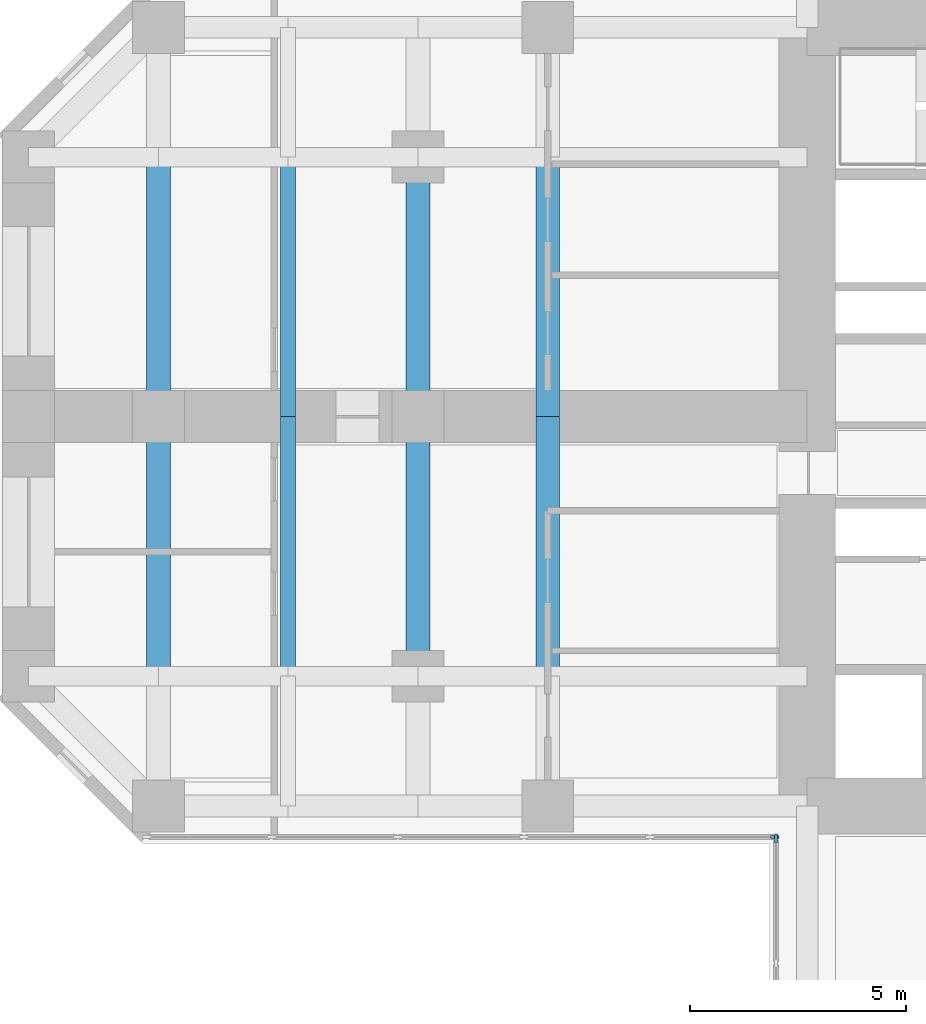
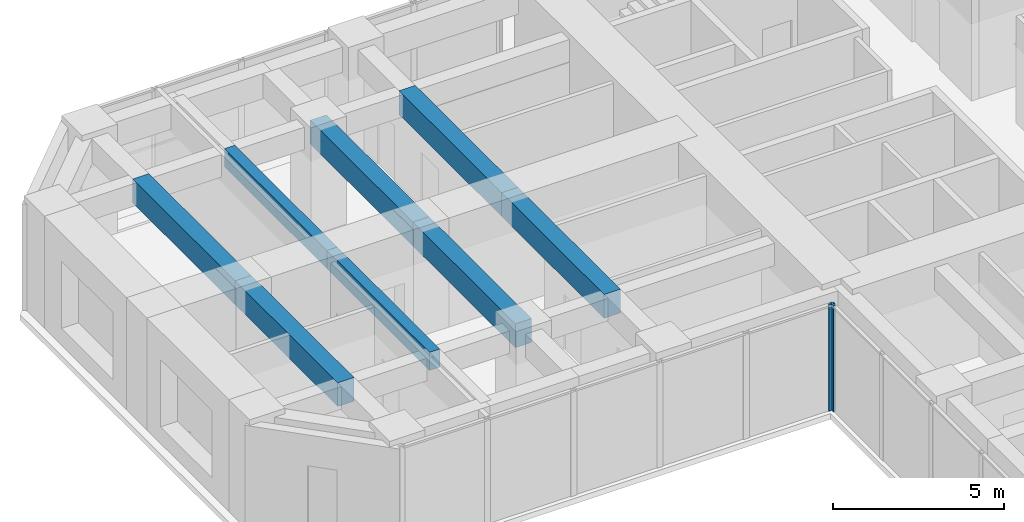
# One storey, part 3 of 13: 8 beams, 2 members, 2 elements without a shape of their own.
"""IFC4 building model written with IfcOpenShell, lengths in metres."""

from ifc_helpers import new_model, si_unit, direction, frame, origin, origin_2d, place, context, subcontext, project, spatial, rectangle, extrude, material, material_profile, profile_set, type_object, element, aggregate, save


model = new_model("IFC4")

# Units and contexts
model_context = context("Model", 3, precision=1e-05, world=origin(), true_north=direction((0.0, 1.0)))
body_context = subcontext(model_context, "Body", "Model", "MODEL_VIEW")
ifc_project = project(units=[si_unit("LENGTHUNIT", "METRE"), si_unit("AREAUNIT", "SQUARE_METRE"), si_unit("VOLUMEUNIT", "CUBIC_METRE"), si_unit("PLANEANGLEUNIT", "RADIAN"), si_unit("MASSUNIT", "GRAM", prefix="KILO")], contexts=[model_context])

# Site, building, storey
site_placement = place(None, origin())
site = spatial("IfcSite", under=ifc_project, at=site_placement, CompositionType="ELEMENT")
building_placement = place(site_placement, origin())
building = spatial("IfcBuilding", under=site, at=building_placement, Name="Torre Cruceta", CompositionType="ELEMENT")
storey_placement = place(building_placement, frame((0.0, 0.0, 55.5)))
storey = spatial("IfcBuildingStorey", under=building, at=storey_placement, Name="L13", CompositionType="ELEMENT", Elevation=55.5)

# Beams
ifc_material_1 = material(Name="Concrete G60 (fck 60 MPa)", Category="concrete")
ifc_material_profile_1 = material_profile(ifc_material_1, rectangle(XDim=0.550048828125, YDim=0.85009765625, at=origin_2d()), Name="RC 550X850")
ifc_profile_set_1 = profile_set([ifc_material_profile_1], Name="Concrete G60 (fck 60 MPa)")
beam_type_1 = type_object("IfcBeamType", Name="CROSS BEAM RC 550X850", PredefinedType="BEAM", material=ifc_profile_set_1)
for number, where, z_axis, x_axis, name in (
    (1, (-15.0, 6.0, 3.375), (0.0, -1.0, 0.0), (1.0, 0.0, 0.0), "GB4 L13 W cross15 2"),
    (2, (-15.0, 0.0, 3.375), (0.0, -1.0, 0.0), (1.0, 0.0, 0.0), "GB4 L13 W cross15 3"),
    (3, (-18.0, 6.0, 3.375), (0.0, -1.0, 0.0), (1.0, 0.0, 0.0), "GB4 L13 W cross18 2"),
    (4, (-18.0, 0.0, 3.375), (0.0, -1.0, 0.0), (1.0, 0.0, 0.0), "GB4 L13 W cross18 3"),
    (5, (-24.0, 6.0, 3.375), (0.0, -1.0, 0.0), (1.0, 0.0, 0.0), "GB4 L13 W cross24 2"),
    (6, (-24.0, 0.0, 3.375), (0.0, -1.0, 0.0), (1.0, 0.0, 0.0), "GB4 L13 W cross24 3"),
):
    element("IfcBeam", number, at=place(storey_placement, frame(where, z_axis=z_axis, x_axis=x_axis)), inside=storey, type_object=beam_type_1, Name=name, PredefinedType="BEAM", context=body_context, shape_type="SweptSolid", body=[
        extrude(rectangle(XDim=0.550048828125, YDim=0.85009765625, at=origin_2d()), origin(), (0.0, 0.0, 1.0), 6.0),
    ])

# Curtain wall, member
ifc_material_2 = material(Name="Aluminium unitised curtain wall", Category="aluminium")
curtain_wall_type = type_object("IfcCurtainWallType", Name="CURTAIN WALL CW-A OFFICE LOW RISE", PredefinedType="USERDEFINED", material=ifc_material_2)
curtain_wall_1_placement = place(storey_placement, origin())
curtain_wall_1 = element("IfcCurtainWall", 7, at=curtain_wall_1_placement, inside=storey, type_object=curtain_wall_type, Name="CW-A L13 W side 14", ObjectType="UNITISED", PredefinedType="USERDEFINED")
ifc_material_3 = material(Name="Aluminium mullion", Category="aluminium")
ifc_material_profile_2 = material_profile(ifc_material_3, rectangle(XDim=0.06494140625, YDim=0.199951171875, at=origin_2d()), Name="AL 65X200")
ifc_profile_set_2 = profile_set([ifc_material_profile_2], Name="Aluminium mullion")
member_type = type_object("IfcMemberType", Name="CW-A MULLION 65X200", PredefinedType="MULLION", material=ifc_profile_set_2)
member_1_placement = place(storey_placement, frame((-9.75244140625, -9.719970703125, 0.0), z_axis=(0.0, 0.0, 1.0), x_axis=(0.0, 1.0, 0.0)))
member_1 = element("IfcMember", 8, at=member_1_placement, type_object=member_type, Name="CW-A mullion 6", PredefinedType="MULLION", context=body_context, shape_type="SweptSolid", body=[
    extrude(rectangle(XDim=0.06494140625, YDim=0.199951171875, at=origin_2d()), origin(), (0.0, 0.0, 1.0), 3.800048828125),
])
aggregate(curtain_wall_1, [member_1])

curtain_wall_2_placement = place(storey_placement, origin())
curtain_wall_2 = element("IfcCurtainWall", 9, at=curtain_wall_2_placement, inside=storey, type_object=curtain_wall_type, Name="CW-A L13 S side 15", ObjectType="UNITISED", PredefinedType="USERDEFINED")
member_2_placement = place(storey_placement, frame((-9.719970703125, -9.75244140625, 0.0), z_axis=(0.0, 0.0, 1.0), x_axis=(1.0, 0.0, 0.0)))
member_2 = element("IfcMember", 10, at=member_2_placement, type_object=member_type, Name="CW-A mullion 1", PredefinedType="MULLION", context=body_context, shape_type="SweptSolid", body=[
    extrude(rectangle(XDim=0.06494140625, YDim=0.199951171875, at=origin_2d()), origin(), (0.0, 0.0, 1.0), 3.800048828125),
])
aggregate(curtain_wall_2, [member_2])

# Beams
ifc_material_4 = material(Name="Concrete G60 (fck 60 MPa)", Category="concrete")
ifc_material_profile_3 = material_profile(ifc_material_4, rectangle(XDim=0.35009765625, YDim=0.64990234375, at=origin_2d()), Name="RC 350X650")
ifc_profile_set_3 = profile_set([ifc_material_profile_3], Name="Concrete G60 (fck 60 MPa)")
beam_type_2 = type_object("IfcBeamType", Name="SECONDARY BEAM RC 350X650", PredefinedType="JOIST", material=ifc_profile_set_3)
for number, where, z_axis, x_axis, name in (
    (11, (-21.0, 6.0, 3.47509765625), (0.0, -1.0, 0.0), (1.0, 0.0, 0.0), "JB3 L13 W sec21 2"),
    (12, (-21.0, 0.0, 3.47509765625), (0.0, -1.0, 0.0), (1.0, 0.0, 0.0), "JB3 L13 W sec21 3"),
):
    element("IfcBeam", number, at=place(storey_placement, frame(where, z_axis=z_axis, x_axis=x_axis)), inside=storey, type_object=beam_type_2, Name=name, PredefinedType="JOIST", context=body_context, shape_type="SweptSolid", body=[
        extrude(rectangle(XDim=0.35009765625, YDim=0.64990234375, at=origin_2d()), origin(), (0.0, 0.0, 1.0), 6.0),
    ])

save(model, "model.ifc")
